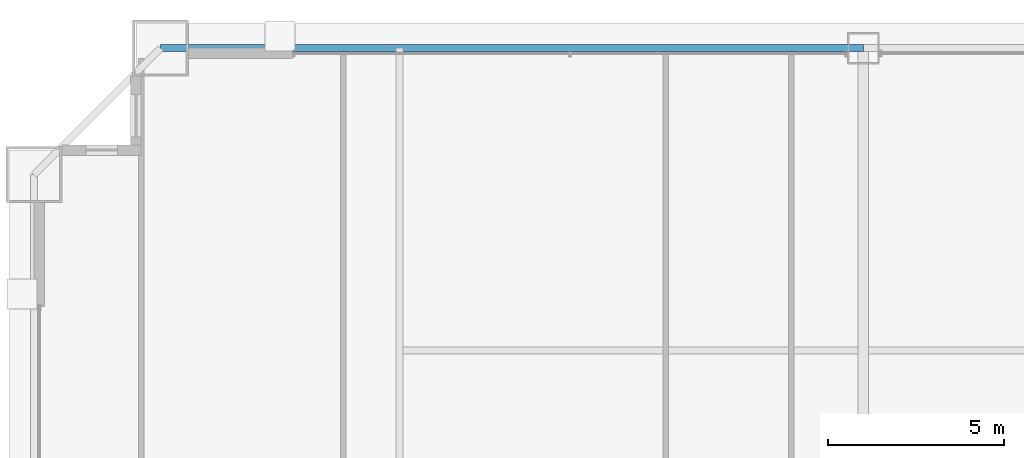
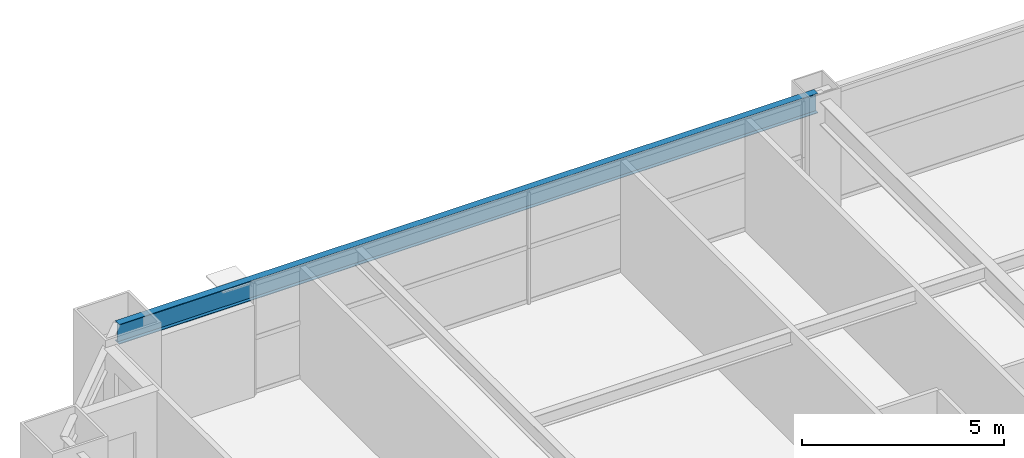
# One storey, part 23 of 38: 1 beam.
"""IFC4 building model written with IfcOpenShell, lengths in metres."""

from ifc_helpers import new_model, si_unit, direction, frame, origin, origin_2d, place, context, subcontext, project, spatial, i_section, extrude, source, transform, mapped, material, material_profile, profile_set, type_object, element, save


model = new_model("IFC4")

# Units and contexts
model_context = context("Model", 3, precision=1e-05, world=origin(), true_north=direction((0.0, 1.0)))
body_context = subcontext(model_context, "Body", "Model", "MODEL_VIEW")
ifc_project = project(units=[si_unit("LENGTHUNIT", "METRE"), si_unit("AREAUNIT", "SQUARE_METRE"), si_unit("VOLUMEUNIT", "CUBIC_METRE"), si_unit("PLANEANGLEUNIT", "RADIAN"), si_unit("MASSUNIT", "GRAM", prefix="KILO"), si_unit("THERMODYNAMICTEMPERATUREUNIT", "KELVIN"), si_unit("POWERUNIT", "WATT")], contexts=[model_context])

# Site, building, storey
site_placement = place(None, origin())
site = spatial("IfcSite", under=ifc_project, at=site_placement, CompositionType="ELEMENT")
building_placement = place(site_placement, origin())
building = spatial("IfcBuilding", under=site, at=building_placement, Name="Yuzanri Waterfront Tower", CompositionType="ELEMENT")
storey_placement = place(building_placement, frame((0.0, 0.0, 111.800048828125)))
storey = spatial("IfcBuildingStorey", under=building, at=storey_placement, Name="L29", CompositionType="ELEMENT", Elevation=111.800048828125)

# Beam
ifc_material = material(Name="Steel Q355B", Category="steel")
ifc_material_profile = material_profile(ifc_material, i_section(OverallWidth=0.199951171875, OverallDepth=0.60009765625, WebThickness=0.010986328125, FlangeThickness=0.01708984375, at=origin_2d()), Name="HN 600x200x11x17")
ifc_profile_set = profile_set([ifc_material_profile], Name="Steel Q355B")
beam_type = type_object("IfcBeamType", Name="Perimeter Spandrel Q355B HN 600x200", PredefinedType="SPANDREL", material=ifc_profile_set)
shared_shape = source(origin(), body_context, "Body", "SweptSolid", [
    extrude(i_section(OverallWidth=0.199951171875, OverallDepth=0.60009765625, WebThickness=0.010986328125, FlangeThickness=0.01708984375, at=origin_2d()), origin(), (0.0, 0.0, 1.0), 20.0),
])
beam_placement = place(storey_placement, frame((37.0, 49.39990234375, 3.079833984375), z_axis=(-1.0, 0.0, 0.0), x_axis=(0.0, -1.0, 0.0)))
element("IfcBeam", 1, at=beam_placement, inside=storey, type_object=beam_type, Name="L29 Perimeter Spandrel N2-N1", PredefinedType="SPANDREL", context=body_context, shape_type="MappedRepresentation", body=[
    mapped(shared_shape, transform((0.0, 0.0, 0.0), scale=1.0)),
])

save(model, "model.ifc")
